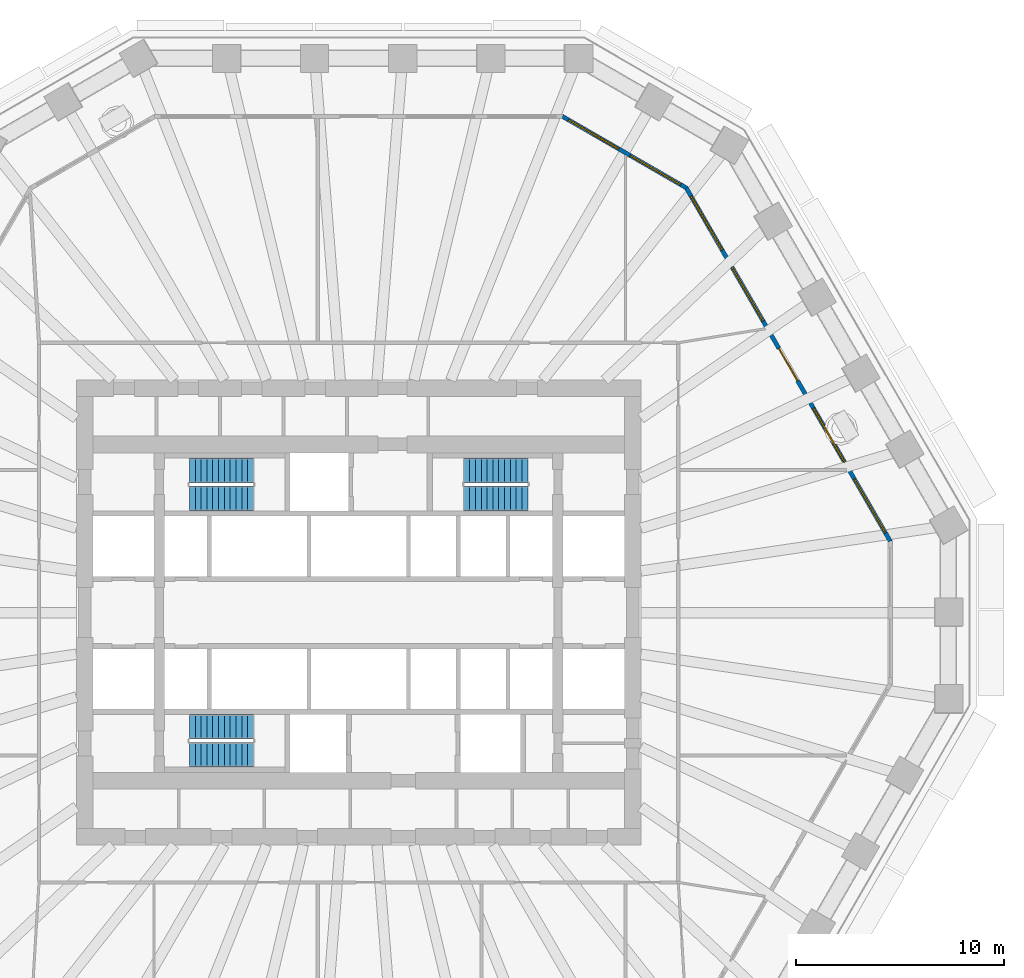
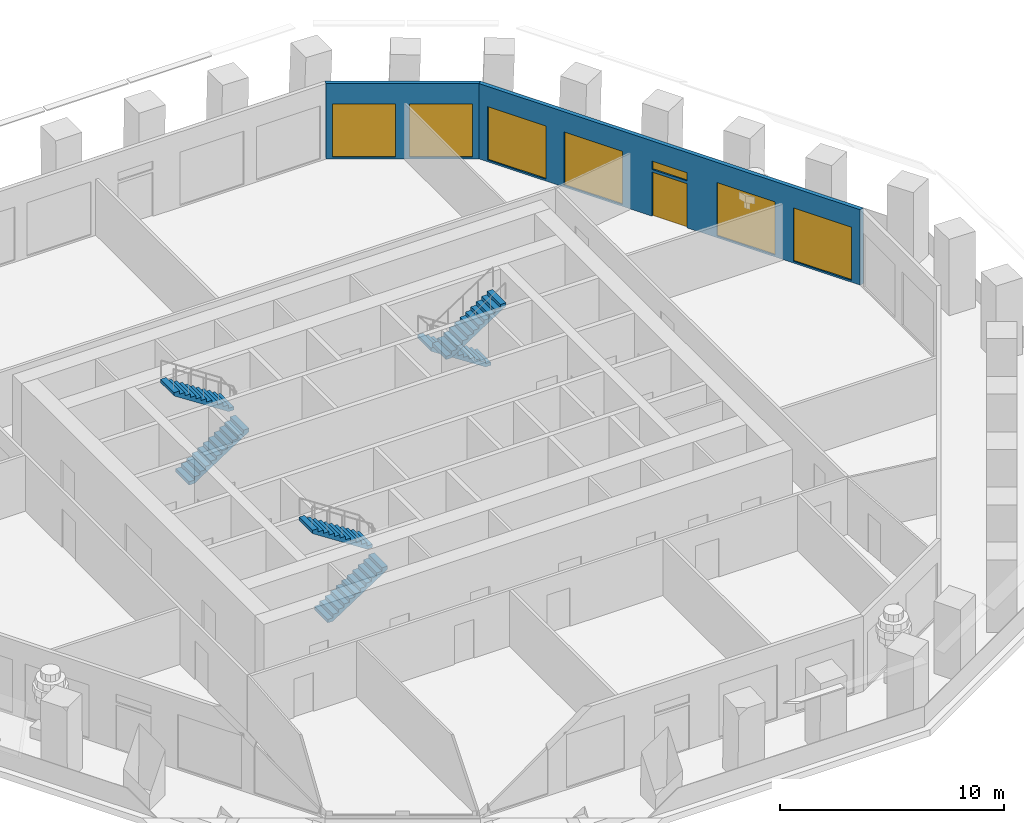
# One storey, part 8 of 12: 7 windows, 6 stair flights, 2 walls, 1 door, 8 openings, 3 elements without a shape of their own.
"""IFC4 building model written with IfcOpenShell, lengths in metres."""

from ifc_helpers import new_model, si_unit, direction, frame, frame_2d, origin, place, context, subcontext, project, spatial, polyline, rectangle, outline, extrude, material, layer, layer_set, type_object, element, fill, aggregate, save


model = new_model("IFC4")

# Units and contexts
model_context = context("Model", 3, precision=1e-05, world=origin(), true_north=direction((0.0, 1.0)))
body_context = subcontext(model_context, "Body", "Model", "MODEL_VIEW")
ifc_project = project(units=[si_unit("LENGTHUNIT", "METRE"), si_unit("AREAUNIT", "SQUARE_METRE"), si_unit("VOLUMEUNIT", "CUBIC_METRE"), si_unit("PLANEANGLEUNIT", "RADIAN"), si_unit("MASSUNIT", "GRAM", prefix="KILO")], contexts=[model_context])

# Site, building, storey
site_placement = place(None, origin())
site = spatial("IfcSite", under=ifc_project, at=site_placement, CompositionType="ELEMENT")
building_placement = place(site_placement, origin())
building = spatial("IfcBuilding", under=site, at=building_placement, Name="Frailejon Research Tower", CompositionType="ELEMENT")
storey_placement = place(building_placement, frame((0.0, 0.0, 80.800048828125)))
storey = spatial("IfcBuildingStorey", under=building, at=storey_placement, Name="L17", CompositionType="ELEMENT", Elevation=80.800048828125)

# Wall, openings, door, windows
ifc_material_1 = material(Name="Concrete C40/50 precast window wall panel", Category="concrete")
ifc_layer_1 = layer(ifc_material_1, 0.199951171875)
ifc_layer_set_1 = layer_set([ifc_layer_1], Name="Window wall 200")
wall_type = type_object("IfcWallType", Name="Window wall 200", PredefinedType="SOLIDWALL", material=ifc_layer_set_1)
wall_1_placement = place(storey_placement, frame((25.61279296875, 3.437255859375, 0.0), z_axis=(0.0, 0.0, 1.0), x_axis=(-0.499999083763, 0.866025932773, 0.0)))
wall_1 = element("IfcWall", 1, at=wall_1_placement, inside=storey, type_object=wall_type, Name="Exterior wall L17", PredefinedType="SOLIDWALL", context=body_context, shape_type="SweptSolid", body=[
    extrude(outline(polyline([(-0.02685546875, -0.10009765625), (1.0107421875, -0.10009765625), (2.048095703125, -0.10009765625), (3.085693359375, -0.10009765625), (4.123291015625, -0.10009765625), (5.16064453125, -0.10009765625), (6.1982421875, -0.10009765625), (7.23583984375, -0.10009765625), (8.273193359375, -0.10009765625), (9.310791015625, -0.10009765625), (10.348388671875, -0.10009765625), (11.385986328125, -0.10009765625), (12.42333984375, -0.10009765625), (13.4609375, -0.10009765625), (14.49853515625, -0.10009765625), (15.535888671875, -0.10009765625), (16.573486328125, -0.10009765625), (17.611083984375, -0.10009765625), (18.6484375, -0.10009765625), (19.68603515625, -0.10009765625), (19.63232421875, 0.10009765625), (18.600341796875, 0.10009765625), (17.568603515625, 0.10009765625), (16.53662109375, 0.10009765625), (15.5048828125, 0.10009765625), (14.472900390625, 0.10009765625), (13.441162109375, 0.10009765625), (12.4091796875, 0.10009765625), (11.37744140625, 0.10009765625), (10.345458984375, 0.10009765625), (9.313720703125, 0.10009765625), (8.28173828125, 0.10009765625), (7.25, 0.10009765625), (6.218017578125, 0.10009765625), (5.186279296875, 0.10009765625), (4.154296875, 0.10009765625), (3.12255859375, 0.10009765625), (2.090576171875, 0.10009765625), (1.058837890625, 0.10009765625), (0.02685546875, 0.10009765625), (-0.02685546875, -0.10009765625)])), origin(), (0.0, 0.0, 1.0), 4.099853515625),
])
opening_1_placement = place(wall_1_placement, frame((0.4658203125, 0.0, 0.10009765625)))
opening_1 = element("IfcOpeningElement", 2, at=opening_1_placement, cuts=wall_1, Name="Opening W4", PredefinedType="OPENING", context=body_context, shape_type="SweptSolid", body=[
    extrude(rectangle(XDim=3.0, YDim=2.89990234375, at=frame_2d((1.5, 1.449951171875))), frame((0.0, 0.10986328125, 0.0), z_axis=(0.0, -1.0, 0.0), x_axis=(1.0, 0.0, 0.0)), (0.0, 0.0, 1.0), 0.219970703125),
])
opening_2_placement = place(wall_1_placement, frame((4.397705078125, 0.0, 0.10009765625)))
opening_2 = element("IfcOpeningElement", 3, at=opening_2_placement, cuts=wall_1, Name="Opening W4", PredefinedType="OPENING", context=body_context, shape_type="SweptSolid", body=[
    extrude(rectangle(XDim=3.0, YDim=2.89990234375, at=frame_2d((1.5, 1.449951171875))), frame((0.0, 0.10986328125, 0.0), z_axis=(0.0, -1.0, 0.0), x_axis=(1.0, 0.0, 0.0)), (0.0, 0.0, 1.0), 0.219970703125),
])
opening_3_placement = place(wall_1_placement, frame((8.9296875, 0.0, 0.0)))
opening_3 = element("IfcOpeningElement", 4, at=opening_3_placement, cuts=wall_1, Name="Opening LG17-1", PredefinedType="OPENING", context=body_context, shape_type="SweptSolid", body=[
    extrude(rectangle(XDim=1.800048828125, YDim=2.39990234375, at=frame_2d((0.89990234375, 1.199951171875))), frame((0.0, 0.10986328125, 0.0), z_axis=(0.0, -1.0, 0.0), x_axis=(1.0, 0.0, 0.0)), (0.0, 0.0, 1.0), 0.219970703125),
])
opening_4_placement = place(wall_1_placement, frame((8.9296875, 0.0, 2.550048828125)))
opening_4 = element("IfcOpeningElement", 5, at=opening_4_placement, cuts=wall_1, Name="Opening W1", PredefinedType="OPENING", context=body_context, shape_type="SweptSolid", body=[
    extrude(rectangle(XDim=1.800048828125, YDim=0.449951171875, at=frame_2d((0.89990234375, 0.22509765625))), frame((0.0, 0.10986328125, 0.0), z_axis=(0.0, -1.0, 0.0), x_axis=(1.0, 0.0, 0.0)), (0.0, 0.0, 1.0), 0.219970703125),
])
opening_5_placement = place(wall_1_placement, frame((12.261474609375, 0.0, 0.10009765625)))
opening_5 = element("IfcOpeningElement", 6, at=opening_5_placement, cuts=wall_1, Name="Opening W4", PredefinedType="OPENING", context=body_context, shape_type="SweptSolid", body=[
    extrude(rectangle(XDim=3.0, YDim=2.89990234375, at=frame_2d((1.5, 1.449951171875))), frame((0.0, 0.10986328125, 0.0), z_axis=(0.0, -1.0, 0.0), x_axis=(1.0, 0.0, 0.0)), (0.0, 0.0, 1.0), 0.219970703125),
])
opening_6_placement = place(wall_1_placement, frame((16.193359375, 0.0, 0.10009765625)))
opening_6 = element("IfcOpeningElement", 7, at=opening_6_placement, cuts=wall_1, Name="Opening W4", PredefinedType="OPENING", context=body_context, shape_type="SweptSolid", body=[
    extrude(rectangle(XDim=3.0, YDim=2.89990234375, at=frame_2d((1.5, 1.449951171875))), frame((0.0, 0.10986328125, 0.0), z_axis=(0.0, -1.0, 0.0), x_axis=(1.0, 0.0, 0.0)), (0.0, 0.0, 1.0), 0.219970703125),
])
ifc_material_2 = material(Name="Aluminium framed glazed door leaf", Category="aluminium")
door_type = type_object("IfcDoorType", Name="Loggia door 1800x2400", OperationType="DOUBLE_DOOR_SINGLE_SWING", PredefinedType="DOOR", material=ifc_material_2)
door_placement = place(opening_3_placement, origin())
door = element("IfcDoor", 8, at=door_placement, inside=storey, type_object=door_type, Name="Door LG17-1", OperationType="DOUBLE_DOOR_SINGLE_SWING", OverallHeight=2.39990234375, OverallWidth=1.800048828125, PredefinedType="DOOR", context=body_context, shape_type="SweptSolid", body=[
    extrude(rectangle(XDim=1.800048828125, YDim=2.39990234375, at=frame_2d((0.89990234375, 1.199951171875))), frame((0.0, 0.02490234375, 0.0), z_axis=(0.0, -1.0, 0.0), x_axis=(1.0, 0.0, 0.0)), (0.0, 0.0, 1.0), 0.050048828125),
])
fill(opening_3, door)
ifc_material_3 = material(Name="Aluminium framed double glazing", Category="aluminium")
window_type_1 = type_object("IfcWindowType", Name="Window 1800x450", PartitioningType="SINGLE_PANEL", PredefinedType="WINDOW", material=ifc_material_3)
window_1_placement = place(opening_4_placement, origin())
window_1 = element("IfcWindow", 9, at=window_1_placement, inside=storey, type_object=window_type_1, Name="Window L17", OverallHeight=0.449951171875, OverallWidth=1.800048828125, PartitioningType="SINGLE_PANEL", PredefinedType="WINDOW", context=body_context, shape_type="SweptSolid", body=[
    extrude(rectangle(XDim=1.800048828125, YDim=0.449951171875, at=frame_2d((0.89990234375, 0.22509765625))), frame((0.0, 0.030029296875, 0.0), z_axis=(0.0, -1.0, 0.0), x_axis=(1.0, 0.0, 0.0)), (0.0, 0.0, 1.0), 0.06005859375),
])
fill(opening_4, window_1)
ifc_material_4 = material(Name="Aluminium framed double glazing", Category="aluminium")
window_type_2 = type_object("IfcWindowType", Name="Window 3000x2900", PartitioningType="SINGLE_PANEL", PredefinedType="WINDOW", material=ifc_material_4)
window_2_placement = place(opening_1_placement, origin())
window_2 = element("IfcWindow", 10, at=window_2_placement, inside=storey, type_object=window_type_2, Name="Window L17", OverallHeight=2.89990234375, OverallWidth=3.0, PartitioningType="SINGLE_PANEL", PredefinedType="WINDOW", context=body_context, shape_type="SweptSolid", body=[
    extrude(rectangle(XDim=3.0, YDim=2.89990234375, at=frame_2d((1.5, 1.449951171875))), frame((0.0, 0.030029296875, 0.0), z_axis=(0.0, -1.0, 0.0), x_axis=(1.0, 0.0, 0.0)), (0.0, 0.0, 1.0), 0.06005859375),
])
fill(opening_1, window_2)
window_3_placement = place(opening_2_placement, origin())
window_3 = element("IfcWindow", 11, at=window_3_placement, inside=storey, type_object=window_type_2, Name="Window L17", OverallHeight=2.89990234375, OverallWidth=3.0, PartitioningType="SINGLE_PANEL", PredefinedType="WINDOW", context=body_context, shape_type="SweptSolid", body=[
    extrude(rectangle(XDim=3.0, YDim=2.89990234375, at=frame_2d((1.5, 1.449951171875))), frame((0.0, 0.030029296875, 0.0), z_axis=(0.0, -1.0, 0.0), x_axis=(1.0, 0.0, 0.0)), (0.0, 0.0, 1.0), 0.06005859375),
])
fill(opening_2, window_3)
window_4_placement = place(opening_5_placement, origin())
window_4 = element("IfcWindow", 12, at=window_4_placement, inside=storey, type_object=window_type_2, Name="Window L17", OverallHeight=2.89990234375, OverallWidth=3.0, PartitioningType="SINGLE_PANEL", PredefinedType="WINDOW", context=body_context, shape_type="SweptSolid", body=[
    extrude(rectangle(XDim=3.0, YDim=2.89990234375, at=frame_2d((1.5, 1.449951171875))), frame((0.0, 0.030029296875, 0.0), z_axis=(0.0, -1.0, 0.0), x_axis=(1.0, 0.0, 0.0)), (0.0, 0.0, 1.0), 0.06005859375),
])
fill(opening_5, window_4)
window_5_placement = place(opening_6_placement, origin())
window_5 = element("IfcWindow", 13, at=window_5_placement, inside=storey, type_object=window_type_2, Name="Window L17", OverallHeight=2.89990234375, OverallWidth=3.0, PartitioningType="SINGLE_PANEL", PredefinedType="WINDOW", context=body_context, shape_type="SweptSolid", body=[
    extrude(rectangle(XDim=3.0, YDim=2.89990234375, at=frame_2d((1.5, 1.449951171875))), frame((0.0, 0.030029296875, 0.0), z_axis=(0.0, -1.0, 0.0), x_axis=(1.0, 0.0, 0.0)), (0.0, 0.0, 1.0), 0.06005859375),
])
fill(opening_6, window_5)

# Wall, openings, windows
wall_2_placement = place(storey_placement, frame((15.783203125, 20.462646484375, 0.0), z_axis=(0.0, 0.0, 1.0), x_axis=(-0.866029458321, 0.49999297727, 0.0)))
wall_2 = element("IfcWall", 14, at=wall_2_placement, inside=storey, type_object=wall_type, Name="Exterior wall L17", PredefinedType="SOLIDWALL", context=body_context, shape_type="SweptSolid", body=[
    extrude(outline(polyline([(-0.02685546875, -0.10009765625), (1.1279296875, -0.10009765625), (2.282470703125, -0.10009765625), (3.437255859375, -0.10009765625), (4.592041015625, -0.10009765625), (5.74658203125, -0.10009765625), (6.9013671875, -0.10009765625), (6.84765625, 0.10009765625), (5.7109375, 0.10009765625), (4.573974609375, 0.10009765625), (3.437255859375, 0.10009765625), (2.300537109375, 0.10009765625), (1.16357421875, 0.10009765625), (0.02685546875, 0.10009765625), (-0.02685546875, -0.10009765625)])), origin(), (0.0, 0.0, 1.0), 4.099853515625),
])
opening_7_placement = place(wall_2_placement, frame((0.318603515625, 0.0, 0.10009765625)))
opening_7 = element("IfcOpeningElement", 15, at=opening_7_placement, cuts=wall_2, Name="Opening W3", PredefinedType="OPENING", context=body_context, shape_type="SweptSolid", body=[
    extrude(rectangle(XDim=2.800048828125, YDim=2.89990234375, at=frame_2d((1.39990234375, 1.449951171875))), frame((0.0, 0.10986328125, 0.0), z_axis=(0.0, -1.0, 0.0), x_axis=(1.0, 0.0, 0.0)), (0.0, 0.0, 1.0), 0.219970703125),
])
opening_8_placement = place(wall_2_placement, frame((3.756103515625, 0.0, 0.10009765625)))
opening_8 = element("IfcOpeningElement", 16, at=opening_8_placement, cuts=wall_2, Name="Opening W3", PredefinedType="OPENING", context=body_context, shape_type="SweptSolid", body=[
    extrude(rectangle(XDim=2.800048828125, YDim=2.89990234375, at=frame_2d((1.39990234375, 1.449951171875))), frame((0.0, 0.10986328125, 0.0), z_axis=(0.0, -1.0, 0.0), x_axis=(1.0, 0.0, 0.0)), (0.0, 0.0, 1.0), 0.219970703125),
])
ifc_material_5 = material(Name="Aluminium framed double glazing", Category="aluminium")
window_type_3 = type_object("IfcWindowType", Name="Window 2800x2900", PartitioningType="SINGLE_PANEL", PredefinedType="WINDOW", material=ifc_material_5)
window_6_placement = place(opening_7_placement, origin())
window_6 = element("IfcWindow", 17, at=window_6_placement, inside=storey, type_object=window_type_3, Name="Window L17", OverallHeight=2.89990234375, OverallWidth=2.800048828125, PartitioningType="SINGLE_PANEL", PredefinedType="WINDOW", context=body_context, shape_type="SweptSolid", body=[
    extrude(rectangle(XDim=2.800048828125, YDim=2.89990234375, at=frame_2d((1.39990234375, 1.449951171875))), frame((0.0, 0.030029296875, 0.0), z_axis=(0.0, -1.0, 0.0), x_axis=(1.0, 0.0, 0.0)), (0.0, 0.0, 1.0), 0.06005859375),
])
fill(opening_7, window_6)
window_7_placement = place(opening_8_placement, origin())
window_7 = element("IfcWindow", 18, at=window_7_placement, inside=storey, type_object=window_type_3, Name="Window L17", OverallHeight=2.89990234375, OverallWidth=2.800048828125, PartitioningType="SINGLE_PANEL", PredefinedType="WINDOW", context=body_context, shape_type="SweptSolid", body=[
    extrude(rectangle(XDim=2.800048828125, YDim=2.89990234375, at=frame_2d((1.39990234375, 1.449951171875))), frame((0.0, 0.030029296875, 0.0), z_axis=(0.0, -1.0, 0.0), x_axis=(1.0, 0.0, 0.0)), (0.0, 0.0, 1.0), 0.06005859375),
])
fill(opening_8, window_7)

# Stair, stair flights
ifc_material_6 = material(Name="Concrete C50/60", Category="concrete")
stair_type = type_object("IfcStairType", Name="Exit stair 24 risers", PredefinedType="HALF_TURN_STAIR", material=ifc_material_6)
stair_1_placement = place(storey_placement, origin())
stair_1 = element("IfcStair", 19, at=stair_1_placement, inside=storey, type_object=stair_type, Name="L17 Exit stair ST1", PredefinedType="HALF_TURN_STAIR")
ifc_material_7 = material(Name="Concrete C50/60", Category="concrete")
ifc_layer_2 = layer(ifc_material_7, 0.14990234375)
ifc_layer_set_2 = layer_set([ifc_layer_2], Name="Stair flight 12 risers")
stair_flight_type = type_object("IfcStairFlightType", Name="Stair flight 12 risers", PredefinedType="STRAIGHT", material=ifc_layer_set_2)
stair_flight_1_placement = place(storey_placement, frame((-8.14990234375, 5.5, 0.0), z_axis=(0.0, 0.0, 1.0), x_axis=(1.0, 0.0, 0.0)))
stair_flight_1 = element("IfcStairFlight", 20, at=stair_flight_1_placement, type_object=stair_flight_type, Name="ST1 flight 1", NumberOfRisers=12, NumberOfTreads=11, PredefinedType="STRAIGHT", RiserHeight=0.183333333, TreadLength=0.28, context=body_context, shape_type="SweptSolid", body=[
    extrude(outline(polyline([(0.0, 0.0), (0.0, 0.183349609375), (0.280029296875, 0.183349609375), (0.280029296875, 0.36669921875), (0.56005859375, 0.36669921875), (0.56005859375, 0.550048828125), (0.840087890625, 0.550048828125), (0.840087890625, 0.7333984375), (1.1201171875, 0.7333984375), (1.1201171875, 0.916748046875), (1.39990234375, 0.916748046875), (1.39990234375, 1.10009765625), (1.679931640625, 1.10009765625), (1.679931640625, 1.283447265625), (1.9599609375, 1.283447265625), (1.9599609375, 1.466552734375), (2.239990234375, 1.466552734375), (2.239990234375, 1.64990234375), (2.52001953125, 1.64990234375), (2.52001953125, 1.833251953125), (2.800048828125, 1.833251953125), (2.800048828125, 2.0166015625), (3.080078125, 2.0166015625), (3.080078125, 2.199951171875), (3.080078125, 1.83740234375), (0.273681640625, 0.0), (0.0, 0.0)])), frame((0.0, 0.60009765625, 0.0), z_axis=(0.0, -1.0, 0.0), x_axis=(1.0, 0.0, 0.0)), (0.0, 0.0, 1.0), 1.199951171875),
])
stair_flight_2_placement = place(storey_placement, frame((-5.070068359375, 6.85009765625, 2.199951171875), z_axis=(0.0, 0.0, 1.0), x_axis=(-1.0, 0.0, 0.0)))
stair_flight_2 = element("IfcStairFlight", 21, at=stair_flight_2_placement, type_object=stair_flight_type, Name="ST1 flight 2", NumberOfRisers=12, NumberOfTreads=11, PredefinedType="STRAIGHT", RiserHeight=0.183333333, TreadLength=0.28, context=body_context, shape_type="SweptSolid", body=[
    extrude(outline(polyline([(0.0, 0.0), (0.0, 0.183349609375), (0.280029296875, 0.183349609375), (0.280029296875, 0.36669921875), (0.56005859375, 0.36669921875), (0.56005859375, 0.550048828125), (0.840087890625, 0.550048828125), (0.840087890625, 0.7333984375), (1.1201171875, 0.7333984375), (1.1201171875, 0.916748046875), (1.39990234375, 0.916748046875), (1.39990234375, 1.10009765625), (1.679931640625, 1.10009765625), (1.679931640625, 1.283447265625), (1.9599609375, 1.283447265625), (1.9599609375, 1.466552734375), (2.239990234375, 1.466552734375), (2.239990234375, 1.64990234375), (2.52001953125, 1.64990234375), (2.52001953125, 1.833251953125), (2.800048828125, 1.833251953125), (2.800048828125, 2.0166015625), (3.080078125, 2.0166015625), (3.080078125, 2.199951171875), (3.080078125, 1.83740234375), (0.273681640625, 0.0), (0.0, 0.0)])), frame((0.0, 0.60009765625, 0.0), z_axis=(0.0, -1.0, 0.0), x_axis=(1.0, 0.0, 0.0)), (0.0, 0.0, 1.0), 1.199951171875),
])
aggregate(stair_1, [stair_flight_1, stair_flight_2])

stair_2_placement = place(storey_placement, origin())
stair_2 = element("IfcStair", 22, at=stair_2_placement, inside=storey, type_object=stair_type, Name="L17 Exit stair ST2", PredefinedType="HALF_TURN_STAIR")
stair_flight_3_placement = place(storey_placement, frame((-8.14990234375, -6.85009765625, 0.0), z_axis=(0.0, 0.0, 1.0), x_axis=(1.0, 0.0, 0.0)))
stair_flight_3 = element("IfcStairFlight", 23, at=stair_flight_3_placement, type_object=stair_flight_type, Name="ST2 flight 1", NumberOfRisers=12, NumberOfTreads=11, PredefinedType="STRAIGHT", RiserHeight=0.183333333, TreadLength=0.28, context=body_context, shape_type="SweptSolid", body=[
    extrude(outline(polyline([(0.0, 0.0), (0.0, 0.183349609375), (0.280029296875, 0.183349609375), (0.280029296875, 0.36669921875), (0.56005859375, 0.36669921875), (0.56005859375, 0.550048828125), (0.840087890625, 0.550048828125), (0.840087890625, 0.7333984375), (1.1201171875, 0.7333984375), (1.1201171875, 0.916748046875), (1.39990234375, 0.916748046875), (1.39990234375, 1.10009765625), (1.679931640625, 1.10009765625), (1.679931640625, 1.283447265625), (1.9599609375, 1.283447265625), (1.9599609375, 1.466552734375), (2.239990234375, 1.466552734375), (2.239990234375, 1.64990234375), (2.52001953125, 1.64990234375), (2.52001953125, 1.833251953125), (2.800048828125, 1.833251953125), (2.800048828125, 2.0166015625), (3.080078125, 2.0166015625), (3.080078125, 2.199951171875), (3.080078125, 1.83740234375), (0.273681640625, 0.0), (0.0, 0.0)])), frame((0.0, 0.60009765625, 0.0), z_axis=(0.0, -1.0, 0.0), x_axis=(1.0, 0.0, 0.0)), (0.0, 0.0, 1.0), 1.199951171875),
])
stair_flight_4_placement = place(storey_placement, frame((-5.070068359375, -5.5, 2.199951171875), z_axis=(0.0, 0.0, 1.0), x_axis=(-1.0, 0.0, 0.0)))
stair_flight_4 = element("IfcStairFlight", 24, at=stair_flight_4_placement, type_object=stair_flight_type, Name="ST2 flight 2", NumberOfRisers=12, NumberOfTreads=11, PredefinedType="STRAIGHT", RiserHeight=0.183333333, TreadLength=0.28, context=body_context, shape_type="SweptSolid", body=[
    extrude(outline(polyline([(0.0, 0.0), (0.0, 0.183349609375), (0.280029296875, 0.183349609375), (0.280029296875, 0.36669921875), (0.56005859375, 0.36669921875), (0.56005859375, 0.550048828125), (0.840087890625, 0.550048828125), (0.840087890625, 0.7333984375), (1.1201171875, 0.7333984375), (1.1201171875, 0.916748046875), (1.39990234375, 0.916748046875), (1.39990234375, 1.10009765625), (1.679931640625, 1.10009765625), (1.679931640625, 1.283447265625), (1.9599609375, 1.283447265625), (1.9599609375, 1.466552734375), (2.239990234375, 1.466552734375), (2.239990234375, 1.64990234375), (2.52001953125, 1.64990234375), (2.52001953125, 1.833251953125), (2.800048828125, 1.833251953125), (2.800048828125, 2.0166015625), (3.080078125, 2.0166015625), (3.080078125, 2.199951171875), (3.080078125, 1.83740234375), (0.273681640625, 0.0), (0.0, 0.0)])), frame((0.0, 0.60009765625, 0.0), z_axis=(0.0, -1.0, 0.0), x_axis=(1.0, 0.0, 0.0)), (0.0, 0.0, 1.0), 1.199951171875),
])
aggregate(stair_2, [stair_flight_3, stair_flight_4])

stair_3_placement = place(storey_placement, origin())
stair_3 = element("IfcStair", 25, at=stair_3_placement, inside=storey, type_object=stair_type, Name="L17 Exit stair ST3", PredefinedType="HALF_TURN_STAIR")
stair_flight_5_placement = place(storey_placement, frame((8.14990234375, 6.85009765625, 0.0), z_axis=(0.0, 0.0, 1.0), x_axis=(-1.0, 0.0, 0.0)))
stair_flight_5 = element("IfcStairFlight", 26, at=stair_flight_5_placement, type_object=stair_flight_type, Name="ST3 flight 1", NumberOfRisers=12, NumberOfTreads=11, PredefinedType="STRAIGHT", RiserHeight=0.183333333, TreadLength=0.28, context=body_context, shape_type="SweptSolid", body=[
    extrude(outline(polyline([(0.0, 0.0), (0.0, 0.183349609375), (0.280029296875, 0.183349609375), (0.280029296875, 0.36669921875), (0.56005859375, 0.36669921875), (0.56005859375, 0.550048828125), (0.840087890625, 0.550048828125), (0.840087890625, 0.7333984375), (1.1201171875, 0.7333984375), (1.1201171875, 0.916748046875), (1.39990234375, 0.916748046875), (1.39990234375, 1.10009765625), (1.679931640625, 1.10009765625), (1.679931640625, 1.283447265625), (1.9599609375, 1.283447265625), (1.9599609375, 1.466552734375), (2.239990234375, 1.466552734375), (2.239990234375, 1.64990234375), (2.52001953125, 1.64990234375), (2.52001953125, 1.833251953125), (2.800048828125, 1.833251953125), (2.800048828125, 2.0166015625), (3.080078125, 2.0166015625), (3.080078125, 2.199951171875), (3.080078125, 1.83740234375), (0.273681640625, 0.0), (0.0, 0.0)])), frame((0.0, 0.60009765625, 0.0), z_axis=(0.0, -1.0, 0.0), x_axis=(1.0, 0.0, 0.0)), (0.0, 0.0, 1.0), 1.199951171875),
])
stair_flight_6_placement = place(storey_placement, frame((5.070068359375, 5.5, 2.199951171875), z_axis=(0.0, 0.0, 1.0), x_axis=(1.0, 0.0, 0.0)))
stair_flight_6 = element("IfcStairFlight", 27, at=stair_flight_6_placement, type_object=stair_flight_type, Name="ST3 flight 2", NumberOfRisers=12, NumberOfTreads=11, PredefinedType="STRAIGHT", RiserHeight=0.183333333, TreadLength=0.28, context=body_context, shape_type="SweptSolid", body=[
    extrude(outline(polyline([(0.0, 0.0), (0.0, 0.183349609375), (0.280029296875, 0.183349609375), (0.280029296875, 0.36669921875), (0.56005859375, 0.36669921875), (0.56005859375, 0.550048828125), (0.840087890625, 0.550048828125), (0.840087890625, 0.7333984375), (1.1201171875, 0.7333984375), (1.1201171875, 0.916748046875), (1.39990234375, 0.916748046875), (1.39990234375, 1.10009765625), (1.679931640625, 1.10009765625), (1.679931640625, 1.283447265625), (1.9599609375, 1.283447265625), (1.9599609375, 1.466552734375), (2.239990234375, 1.466552734375), (2.239990234375, 1.64990234375), (2.52001953125, 1.64990234375), (2.52001953125, 1.833251953125), (2.800048828125, 1.833251953125), (2.800048828125, 2.0166015625), (3.080078125, 2.0166015625), (3.080078125, 2.199951171875), (3.080078125, 1.83740234375), (0.273681640625, 0.0), (0.0, 0.0)])), frame((0.0, 0.60009765625, 0.0), z_axis=(0.0, -1.0, 0.0), x_axis=(1.0, 0.0, 0.0)), (0.0, 0.0, 1.0), 1.199951171875),
])
aggregate(stair_3, [stair_flight_5, stair_flight_6])

save(model, "model.ifc")
